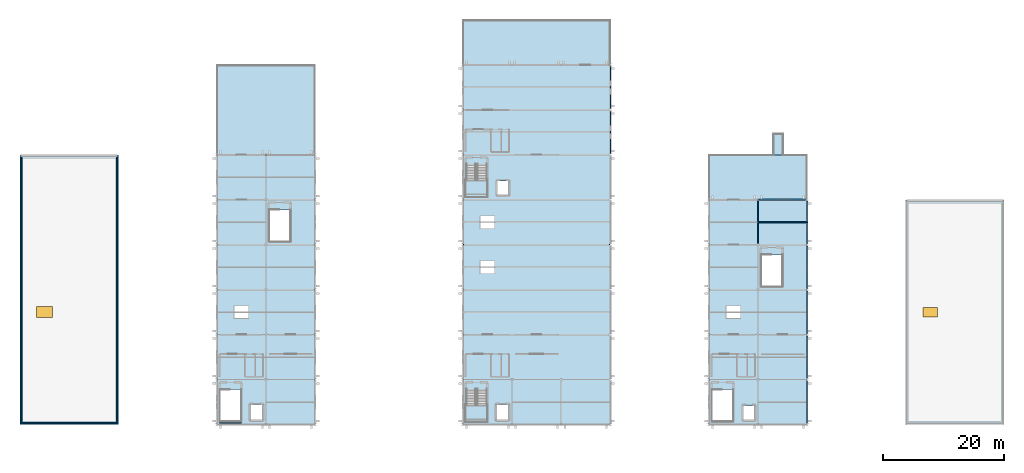
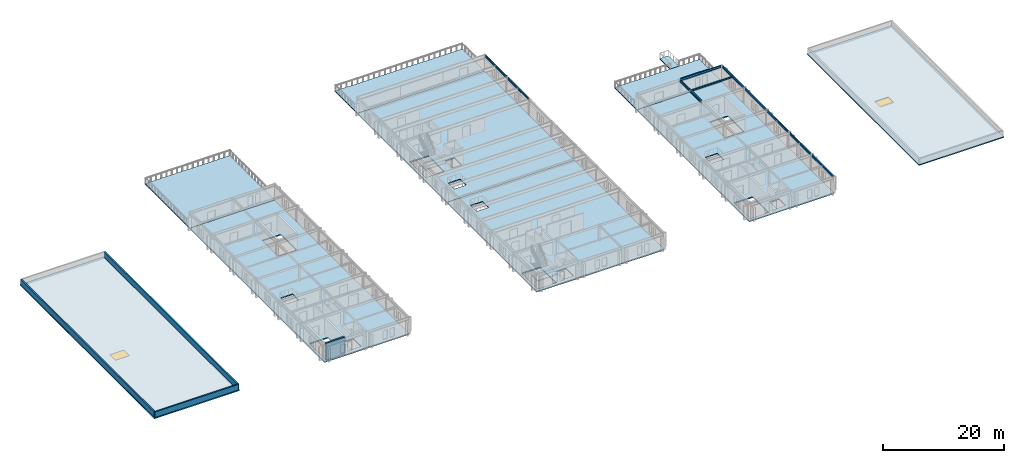
# One storey, part 7 of 19: 12 slabs, 10 beams, 4 walls, 2 windows, 2 openings, 2 elements without a shape of their own.
"""IFC4 building model written with IfcOpenShell, lengths in metres."""

from ifc_helpers import new_model, si_unit, direction, frame, frame_2d, origin, origin_2d, place, context, subcontext, project, spatial, polyline, rectangle, i_section, outline, extrude, material, layer, layer_set, material_profile, profile_set, type_object, element, fill, aggregate, save


model = new_model("IFC4")

# Units and contexts
model_context = context("Model", 3, precision=1e-05, world=origin(), true_north=direction((0.0, 1.0)))
body_context = subcontext(model_context, "Body", "Model", "MODEL_VIEW")
ifc_project = project(units=[si_unit("LENGTHUNIT", "METRE"), si_unit("AREAUNIT", "SQUARE_METRE"), si_unit("VOLUMEUNIT", "CUBIC_METRE"), si_unit("PLANEANGLEUNIT", "RADIAN"), si_unit("MASSUNIT", "GRAM", prefix="KILO")], contexts=[model_context])

# Site, building, storey
site_placement = place(None, origin())
site = spatial("IfcSite", under=ifc_project, at=site_placement, CompositionType="ELEMENT")
building_placement = place(site_placement, origin())
building = spatial("IfcBuilding", under=site, at=building_placement, Name="Cimatlan Art Gallery", CompositionType="ELEMENT")
storey_placement = place(building_placement, frame((0.0, 0.0, 17.39990234375)))
storey = spatial("IfcBuildingStorey", under=building, at=storey_placement, Name="L04", CompositionType="ELEMENT", Elevation=17.39990234375)

# Beams
ifc_material_1 = material(Name="Steel ASTM A992 Grade 50", Category="steel")
ifc_material_profile_1 = material_profile(ifc_material_1, i_section(OverallWidth=0.1650390625, OverallDepth=0.31005859375, WebThickness=0.005859375, FlangeThickness=0.009765625, at=origin_2d()), Name="W12X26")
ifc_profile_set_1 = profile_set([ifc_material_profile_1], Name="Steel ASTM A992 Grade 50")
beam_type_1 = type_object("IfcBeamType", Name="BM-STL-W12X26", PredefinedType="JOIST", material=ifc_profile_set_1)
beam_1_placement = place(storey_placement, frame((123.595458984375, 57.199951171875, 3.22509765625), z_axis=(1.0, 0.0, 0.0), x_axis=(0.0, 1.0, 0.0)))
element("IfcBeam", 1, at=beam_1_placement, inside=storey, type_object=beam_type_1, Name="JST-L04-15-07", PredefinedType="JOIST", context=body_context, shape_type="SweptSolid", body=[
    extrude(i_section(OverallWidth=0.1650390625, OverallDepth=0.31005859375, WebThickness=0.005859375, FlangeThickness=0.009765625, at=origin_2d()), origin(), (0.0, 0.0, 1.0), 7.908935546875),
])
ifc_material_profile_2 = material_profile(ifc_material_1, i_section(OverallWidth=0.19091796875, OverallDepth=0.45703125, WebThickness=0.009033203125, FlangeThickness=0.014404296875, at=origin_2d()), Name="W18X50")
ifc_profile_set_2 = profile_set([ifc_material_profile_2], Name="Steel ASTM A992 Grade 50")
beam_type_2 = type_object("IfcBeamType", Name="BM-STL-W18X50", PredefinedType="BEAM", material=ifc_profile_set_2)
beam_2_placement = place(storey_placement, frame((99.199951171875, 68.488037109375, 3.151611328125), z_axis=(0.0, 1.0, 0.0), x_axis=(-1.0, 0.0, 0.0)))
element("IfcBeam", 2, at=beam_2_placement, inside=storey, type_object=beam_type_2, Name="BM-Y-L04-12-09", PredefinedType="BEAM", context=body_context, shape_type="SweptSolid", body=[
    extrude(i_section(OverallWidth=0.19091796875, OverallDepth=0.45703125, WebThickness=0.009033203125, FlangeThickness=0.014404296875, at=origin_2d()), origin(), (0.0, 0.0, 1.0), 7.02392578125),
])
beam_3_placement = place(storey_placement, frame((99.199951171875, 75.887939453125, 3.151611328125), z_axis=(0.0, 1.0, 0.0), x_axis=(-1.0, 0.0, 0.0)))
element("IfcBeam", 3, at=beam_3_placement, inside=storey, type_object=beam_type_2, Name="BM-Y-L04-12-10", PredefinedType="BEAM", context=body_context, shape_type="SweptSolid", body=[
    extrude(i_section(OverallWidth=0.19091796875, OverallDepth=0.45703125, WebThickness=0.009033203125, FlangeThickness=0.014404296875, at=origin_2d()), origin(), (0.0, 0.0, 1.0), 7.024169921875),
])
for number, where, z_axis, x_axis, name in (
    (4, (123.5, 53.68603515625, 3.151611328125), (0.0, 1.0, 0.0), (-1.0, 0.0, 0.0), "BM-Y-L04-15-07"),
    (5, (131.60009765625, 24.0859375, 3.151611328125), (0.0, 1.0, 0.0), (-1.0, 0.0, 0.0), "BM-Y-L04-16-03"),
):
    element("IfcBeam", number, at=place(storey_placement, frame(where, z_axis=z_axis, x_axis=x_axis)), inside=storey, type_object=beam_type_2, Name=name, PredefinedType="BEAM", context=body_context, shape_type="SweptSolid", body=[
        extrude(i_section(OverallWidth=0.19091796875, OverallDepth=0.45703125, WebThickness=0.009033203125, FlangeThickness=0.014404296875, at=origin_2d()), origin(), (0.0, 0.0, 1.0), 7.028076171875),
    ])
beam_4_placement = place(storey_placement, frame((131.60009765625, 31.486083984375, 3.151611328125), z_axis=(0.0, 1.0, 0.0), x_axis=(-1.0, 0.0, 0.0)))
element("IfcBeam", 6, at=beam_4_placement, inside=storey, type_object=beam_type_2, Name="BM-Y-L04-16-04", PredefinedType="BEAM", context=body_context, shape_type="SweptSolid", body=[
    extrude(i_section(OverallWidth=0.19091796875, OverallDepth=0.45703125, WebThickness=0.009033203125, FlangeThickness=0.014404296875, at=origin_2d()), origin(), (0.0, 0.0, 1.0), 7.02783203125),
])
for number, where, z_axis, x_axis, name in (
    (7, (131.60009765625, 38.885986328125, 3.151611328125), (0.0, 1.0, 0.0), (-1.0, 0.0, 0.0), "BM-Y-L04-16-05"),
    (8, (131.60009765625, 46.285888671875, 3.151611328125), (0.0, 1.0, 0.0), (-1.0, 0.0, 0.0), "BM-Y-L04-16-06"),
    (9, (131.60009765625, 53.68603515625, 3.151611328125), (0.0, 1.0, 0.0), (-1.0, 0.0, 0.0), "BM-Y-L04-16-07"),
):
    element("IfcBeam", number, at=place(storey_placement, frame(where, z_axis=z_axis, x_axis=x_axis)), inside=storey, type_object=beam_type_2, Name=name, PredefinedType="BEAM", context=body_context, shape_type="SweptSolid", body=[
        extrude(i_section(OverallWidth=0.19091796875, OverallDepth=0.45703125, WebThickness=0.009033203125, FlangeThickness=0.014404296875, at=origin_2d()), origin(), (0.0, 0.0, 1.0), 7.028076171875),
    ])
beam_5_placement = place(storey_placement, frame((123.68701171875, 60.89990234375, 3.151611328125), z_axis=(1.0, 0.0, 0.0), x_axis=(0.0, 1.0, 0.0)))
element("IfcBeam", 10, at=beam_5_placement, inside=storey, type_object=beam_type_2, Name="BM-X-L04-15-08", PredefinedType="BEAM", context=body_context, shape_type="SweptSolid", body=[
    extrude(i_section(OverallWidth=0.19091796875, OverallDepth=0.45703125, WebThickness=0.009033203125, FlangeThickness=0.014404296875, at=origin_2d()), origin(), (0.0, 0.0, 1.0), 7.72607421875),
])

# Slabs
ifc_material_2 = material(Name="Concrete C35/45", Category="concrete")
ifc_layer_1 = layer(ifc_material_2, 0.219970703125)
ifc_layer_set_1 = layer_set([ifc_layer_1], Name="Concrete C35/45")
slab_type_1 = type_object("IfcSlabType", Name="SLB-FLR-L04", PredefinedType="FLOOR", material=ifc_layer_set_1)
slab_1_placement = place(storey_placement, frame((0.0, 0.0, -0.219970703125)))
element("IfcSlab", 11, at=slab_1_placement, inside=storey, type_object=slab_type_1, Name="SLB-L04-B2S", PredefinedType="FLOOR", context=body_context, shape_type="SweptSolid", body=[
    extrude(outline(polyline([(34.39990234375, 23.89990234375), (50.60009765625, 23.89990234375), (50.60009765625, 68.300048828125), (34.39990234375, 68.300048828125), (34.39990234375, 23.89990234375)]), holes=[polyline([(34.89990234375, 24.419921875), (38.419921875, 24.419921875), (38.419921875, 29.64990234375), (34.89990234375, 29.64990234375), (34.89990234375, 24.419921875)]), polyline([(40.010009765625, 24.7099609375), (41.889892578125, 24.7099609375), (41.889892578125, 27.18994140625), (40.010009765625, 27.18994140625), (40.010009765625, 24.7099609375)]), polyline([(43.0, 54.02001953125), (46.52001953125, 54.02001953125), (46.52001953125, 59.25), (43.0, 59.25), (43.0, 54.02001953125)]), polyline([(37.300048828125, 41.39990234375), (39.60009765625, 41.39990234375), (39.60009765625, 43.39990234375), (37.300048828125, 43.39990234375), (37.300048828125, 41.39990234375)])]), origin(), (0.0, 0.0, 1.0), 0.219970703125),
])
slab_2_placement = place(storey_placement, frame((0.0, 0.0, -0.219970703125)))
element("IfcSlab", 12, at=slab_2_placement, inside=storey, type_object=slab_type_1, Name="SLB-L04-B3S", PredefinedType="FLOOR", context=body_context, shape_type="SweptSolid", body=[
    extrude(outline(polyline([(74.89990234375, 23.89990234375), (99.199951171875, 23.89990234375), (99.199951171875, 53.5), (74.89990234375, 53.5), (74.89990234375, 23.89990234375)]), holes=[polyline([(75.39990234375, 24.419921875), (78.919921875, 24.419921875), (78.919921875, 29.64990234375), (75.39990234375, 29.64990234375), (75.39990234375, 24.419921875)]), polyline([(80.510009765625, 24.7099609375), (82.389892578125, 24.7099609375), (82.389892578125, 27.18994140625), (80.510009765625, 27.18994140625), (80.510009765625, 24.7099609375)]), polyline([(77.800048828125, 48.800048828125), (80.10009765625, 48.800048828125), (80.10009765625, 50.800048828125), (77.800048828125, 50.800048828125), (77.800048828125, 48.800048828125)])]), origin(), (0.0, 0.0, 1.0), 0.219970703125),
])
slab_3_placement = place(storey_placement, frame((0.0, 0.0, -0.219970703125)))
element("IfcSlab", 13, at=slab_3_placement, inside=storey, type_object=slab_type_1, Name="SLB-L04-B3N", PredefinedType="FLOOR", context=body_context, shape_type="SweptSolid", body=[
    extrude(outline(polyline([(74.89990234375, 53.5), (99.199951171875, 53.5), (99.199951171875, 83.10009765625), (74.89990234375, 83.10009765625), (74.89990234375, 53.5)]), holes=[polyline([(75.39990234375, 61.419921875), (78.919921875, 61.419921875), (78.919921875, 66.64990234375), (75.39990234375, 66.64990234375), (75.39990234375, 61.419921875)]), polyline([(80.610107421875, 61.7099609375), (82.389892578125, 61.7099609375), (82.389892578125, 63.989990234375), (80.610107421875, 63.989990234375), (80.610107421875, 61.7099609375)]), polyline([(77.800048828125, 56.199951171875), (80.10009765625, 56.199951171875), (80.10009765625, 58.199951171875), (77.800048828125, 58.199951171875), (77.800048828125, 56.199951171875)])]), origin(), (0.0, 0.0, 1.0), 0.219970703125),
])
slab_4_placement = place(storey_placement, frame((0.0, 0.0, -0.219970703125)))
element("IfcSlab", 14, at=slab_4_placement, inside=storey, type_object=slab_type_1, Name="SLB-L04-B4S", PredefinedType="FLOOR", context=body_context, shape_type="SweptSolid", body=[
    extrude(outline(polyline([(115.39990234375, 23.89990234375), (131.60009765625, 23.89990234375), (131.60009765625, 60.89990234375), (115.39990234375, 60.89990234375), (115.39990234375, 23.89990234375)]), holes=[polyline([(115.89990234375, 24.419921875), (119.419921875, 24.419921875), (119.419921875, 29.64990234375), (115.89990234375, 29.64990234375), (115.89990234375, 24.419921875)]), polyline([(121.110107421875, 24.7099609375), (122.889892578125, 24.7099609375), (122.889892578125, 26.989990234375), (121.110107421875, 26.989990234375), (121.110107421875, 24.7099609375)]), polyline([(124.0, 46.6201171875), (127.52001953125, 46.6201171875), (127.52001953125, 51.85009765625), (124.0, 51.85009765625), (124.0, 46.6201171875)]), polyline([(118.300048828125, 41.39990234375), (120.60009765625, 41.39990234375), (120.60009765625, 43.39990234375), (118.300048828125, 43.39990234375), (118.300048828125, 41.39990234375)])]), origin(), (0.0, 0.0, 1.0), 0.219970703125),
])
ifc_layer_2 = layer(ifc_material_2, 0.199951171875)
ifc_layer_set_2 = layer_set([ifc_layer_2], Name="Concrete C35/45")
slab_type_2 = type_object("IfcSlabType", Name="SLB-RMP-LAND-200", PredefinedType="LANDING", material=ifc_layer_set_2)
slab_5_placement = place(storey_placement, frame((0.0, 0.0, -0.199951171875)))
element("IfcSlab", 15, at=slab_5_placement, inside=storey, type_object=slab_type_2, Name="RMP-TER-U4-LND5", PredefinedType="LANDING", context=body_context, shape_type="SweptSolid", body=[
    extrude(outline(polyline([(125.989990234375, 68.300048828125), (127.639892578125, 68.300048828125), (127.639892578125, 71.800048828125), (125.989990234375, 71.800048828125), (125.989990234375, 68.300048828125)])), origin(), (0.0, 0.0, 1.0), 0.199951171875),
])

# Slab, opening, window
ifc_layer_3 = layer(ifc_material_2, 0.219970703125)
ifc_layer_set_3 = layer_set([ifc_layer_3], Name="Concrete C35/45")
slab_type_3 = type_object("IfcSlabType", Name="SLB-ROOF-220", PredefinedType="ROOF", material=ifc_layer_set_3)
slab_6_placement = place(storey_placement, frame((0.0, 0.0, -0.219970703125)))
slab_6 = element("IfcSlab", 16, at=slab_6_placement, inside=storey, type_object=slab_type_3, Name="RF-B1-TOP", PredefinedType="ROOF", context=body_context, shape_type="SweptSolid", body=[
    extrude(outline(polyline([(2.0, 23.89990234375), (18.199951171875, 23.89990234375), (18.199951171875, 68.300048828125), (2.0, 68.300048828125), (2.0, 23.89990234375)]), holes=[polyline([(4.75, 41.5), (7.35009765625, 41.5), (7.35009765625, 43.300048828125), (4.75, 43.300048828125), (4.75, 41.5)])]), origin(), (0.0, 0.0, 1.0), 0.219970703125),
])
opening_1_placement = place(slab_6_placement, frame((6.050048828125, 42.39990234375, -0.010009765625)))
opening_1 = element("IfcOpeningElement", 17, at=opening_1_placement, cuts=slab_6, Name="Opening SK-04", PredefinedType="OPENING", context=body_context, shape_type="SweptSolid", body=[
    extrude(rectangle(XDim=2.60009765625, YDim=1.800048828125, at=origin_2d()), origin(), (0.0, 0.0, 1.0), 0.239990234375),
])
ifc_material_3 = material(Name="Low-E laminated double glazing in bronze lancet frame", Category="glass")
window_type_1 = type_object("IfcWindowType", Name="SKY-RF-2600X1800", PartitioningType="SINGLE_PANEL", PredefinedType="SKYLIGHT", material=ifc_material_3)
window_1_placement = place(slab_6_placement, frame((6.050048828125, 42.39990234375, 0.169921875)))
window_1 = element("IfcWindow", 18, at=window_1_placement, inside=storey, type_object=window_type_1, Name="SKY-04", OverallHeight=1.800048828125, OverallWidth=2.60009765625, PartitioningType="SINGLE_PANEL", PredefinedType="SKYLIGHT", context=body_context, shape_type="SweptSolid", body=[
    extrude(rectangle(XDim=2.60009765625, YDim=1.800048828125, at=origin_2d()), origin(), (0.0, 0.0, 1.0), 0.050048828125),
])
fill(opening_1, window_1)

slab_7_placement = place(storey_placement, frame((0.0, 0.0, -0.219970703125)))
slab_7 = element("IfcSlab", 19, at=slab_7_placement, inside=storey, type_object=slab_type_3, Name="RF-B5-TOP", PredefinedType="ROOF", context=body_context, shape_type="SweptSolid", body=[
    extrude(outline(polyline([(147.800048828125, 23.89990234375), (164.0, 23.89990234375), (164.0, 60.89990234375), (147.800048828125, 60.89990234375), (147.800048828125, 23.89990234375)]), holes=[polyline([(150.550048828125, 41.5), (153.14990234375, 41.5), (153.14990234375, 43.300048828125), (150.550048828125, 43.300048828125), (150.550048828125, 41.5)])]), origin(), (0.0, 0.0, 1.0), 0.219970703125),
])
opening_2_placement = place(slab_7_placement, frame((151.85009765625, 42.39990234375, -0.010009765625)))
opening_2 = element("IfcOpeningElement", 20, at=opening_2_placement, cuts=slab_7, Name="Opening SK-05", PredefinedType="OPENING", context=body_context, shape_type="SweptSolid", body=[
    extrude(rectangle(XDim=2.39990234375, YDim=1.60009765625, at=origin_2d()), origin(), (0.0, 0.0, 1.0), 0.239990234375),
])
window_type_2 = type_object("IfcWindowType", Name="SKY-RF-2400X1600", PartitioningType="SINGLE_PANEL", PredefinedType="SKYLIGHT", material=ifc_material_3)
window_2_placement = place(slab_7_placement, frame((151.85009765625, 42.39990234375, 0.169921875)))
window_2 = element("IfcWindow", 21, at=window_2_placement, inside=storey, type_object=window_type_2, Name="SKY-05", OverallHeight=1.60009765625, OverallWidth=2.39990234375, PartitioningType="SINGLE_PANEL", PredefinedType="SKYLIGHT", context=body_context, shape_type="SweptSolid", body=[
    extrude(rectangle(XDim=2.39990234375, YDim=1.60009765625, at=origin_2d()), origin(), (0.0, 0.0, 1.0), 0.050048828125),
])
fill(opening_2, window_2)

# Stair, slab
stair_type = type_object("IfcStairType", Name="STR-HALF-155-360", PredefinedType="HALF_TURN_STAIR", material=ifc_material_2)
stair_1_placement = place(storey_placement, origin())
stair_1 = element("IfcStair", 22, at=stair_1_placement, inside=storey, type_object=stair_type, Name="STR-C3-L04", PredefinedType="HALF_TURN_STAIR")
ifc_layer_4 = layer(ifc_material_2, 0.219970703125)
ifc_layer_set_4 = layer_set([ifc_layer_4], Name="Concrete C35/45")
slab_type_4 = type_object("IfcSlabType", Name="SLB-STAIR-LAND-220", PredefinedType="LANDING", material=ifc_layer_set_4)
slab_8_placement = place(storey_placement, frame((0.0, 0.0, 1.580078125)))
slab_8 = element("IfcSlab", 23, at=slab_8_placement, type_object=slab_type_4, Name="STR-C3-L04-LND", PredefinedType="LANDING", context=body_context, shape_type="SweptSolid", body=[
    extrude(outline(polyline([(75.25, 24.25), (79.0400390625, 24.25), (79.0400390625, 27.280029296875), (75.25, 27.280029296875), (75.25, 24.25)])), origin(), (0.0, 0.0, 1.0), 0.219970703125),
])
aggregate(stair_1, [slab_8])

stair_2_placement = place(storey_placement, origin())
stair_2 = element("IfcStair", 24, at=stair_2_placement, inside=storey, type_object=stair_type, Name="STR-C6-L04", PredefinedType="HALF_TURN_STAIR")
slab_9_placement = place(storey_placement, frame((0.0, 0.0, 1.580078125)))
slab_9 = element("IfcSlab", 25, at=slab_9_placement, type_object=slab_type_4, Name="STR-C6-L04-LND", PredefinedType="LANDING", context=body_context, shape_type="SweptSolid", body=[
    extrude(outline(polyline([(75.25, 61.25), (79.0400390625, 61.25), (79.0400390625, 64.280029296875), (75.25, 64.280029296875), (75.25, 61.25)])), origin(), (0.0, 0.0, 1.0), 0.219970703125),
])
aggregate(stair_2, [slab_9])

# Slabs
ifc_layer_5 = layer(ifc_material_2, 0.219970703125)
ifc_layer_set_5 = layer_set([ifc_layer_5], Name="Concrete C35/45")
slab_type_5 = type_object("IfcSlabType", Name="SLB-TER-220", PredefinedType="FLOOR", material=ifc_layer_set_5)
slab_10_placement = place(storey_placement, frame((0.0, 0.0, -0.219970703125)))
element("IfcSlab", 26, at=slab_10_placement, inside=storey, type_object=slab_type_5, Name="TER-L04-B2", PredefinedType="FLOOR", context=body_context, shape_type="SweptSolid", body=[
    extrude(outline(polyline([(34.39990234375, 68.300048828125), (50.60009765625, 68.300048828125), (50.60009765625, 83.10009765625), (34.39990234375, 83.10009765625), (34.39990234375, 68.300048828125)])), origin(), (0.0, 0.0, 1.0), 0.219970703125),
])
slab_11_placement = place(storey_placement, frame((0.0, 0.0, -0.219970703125)))
element("IfcSlab", 27, at=slab_11_placement, inside=storey, type_object=slab_type_5, Name="TER-L04-B3", PredefinedType="FLOOR", context=body_context, shape_type="SweptSolid", body=[
    extrude(outline(polyline([(74.89990234375, 83.10009765625), (99.199951171875, 83.10009765625), (99.199951171875, 90.5), (74.89990234375, 90.5), (74.89990234375, 83.10009765625)])), origin(), (0.0, 0.0, 1.0), 0.219970703125),
])
slab_12_placement = place(storey_placement, frame((0.0, 0.0, -0.219970703125)))
element("IfcSlab", 28, at=slab_12_placement, inside=storey, type_object=slab_type_5, Name="TER-L04-B4", PredefinedType="FLOOR", context=body_context, shape_type="SweptSolid", body=[
    extrude(outline(polyline([(115.39990234375, 60.89990234375), (131.60009765625, 60.89990234375), (131.60009765625, 68.300048828125), (115.39990234375, 68.300048828125), (115.39990234375, 60.89990234375)])), origin(), (0.0, 0.0, 1.0), 0.219970703125),
])

# Walls
ifc_material_4 = material(Name="Concrete C40/50", Category="concrete")
ifc_layer_6 = layer(ifc_material_4, 0.35009765625)
ifc_layer_set_6 = layer_set([ifc_layer_6], Name="Concrete C40/50")
wall_type_1 = type_object("IfcWallType", Name="W-CORE-350", PredefinedType="SHEAR", material=ifc_layer_set_6)
wall_1_placement = place(storey_placement, frame((34.840087890625, 24.340087890625, 0.0), z_axis=(0.0, 0.0, 1.0), x_axis=(1.0, 0.0, 0.0)))
element("IfcWall", 29, at=wall_1_placement, inside=storey, type_object=wall_type_1, Name="WL-CORE-C2-L04-SS", PredefinedType="SHEAR", context=body_context, shape_type="SweptSolid", body=[
    extrude(rectangle(XDim=3.639892578125, YDim=0.35009765625, at=frame_2d((1.81982421875, 0.0))), origin(), (0.0, 0.0, 1.0), 3.375),
])
ifc_material_5 = material(Name="Precast concrete C40/50", Category="concrete")
ifc_layer_7 = layer(ifc_material_5, 0.264892578125)
ifc_layer_set_7 = layer_set([ifc_layer_7], Name="Precast concrete C40/50")
wall_type_2 = type_object("IfcWallType", Name="WL-PAR-265", PredefinedType="PARAPET", material=ifc_layer_set_7)
wall_2_placement = place(storey_placement, frame((2.14990234375, 24.050048828125, 0.0), z_axis=(0.0, 0.0, 1.0), x_axis=(1.0, 0.0, 0.0)))
element("IfcWall", 30, at=wall_2_placement, inside=storey, type_object=wall_type_2, Name="WL-PAR-001", PredefinedType="PARAPET", context=body_context, shape_type="SweptSolid", body=[
    extrude(rectangle(XDim=15.900146484375, YDim=0.264892578125, at=frame_2d((7.9501953125, 0.0))), origin(), (0.0, 0.0, 1.0), 1.1201171875),
])
for number, where, z_axis, x_axis, name in (
    (31, (18.050048828125, 24.050048828125, 0.0), (0.0, 0.0, 1.0), (0.0, 1.0, 0.0), "WL-PAR-002"),
    (32, (2.14990234375, 68.14990234375, 0.0), (0.0, 0.0, 1.0), (0.0, -1.0, 0.0), "WL-PAR-004"),
):
    element("IfcWall", number, at=place(storey_placement, frame(where, z_axis=z_axis, x_axis=x_axis)), inside=storey, type_object=wall_type_2, Name=name, PredefinedType="PARAPET", context=body_context, shape_type="SweptSolid", body=[
        extrude(rectangle(XDim=44.099853515625, YDim=0.264892578125, at=frame_2d((22.0498046875, 0.0))), origin(), (0.0, 0.0, 1.0), 1.1201171875),
    ])

save(model, "model.ifc")
